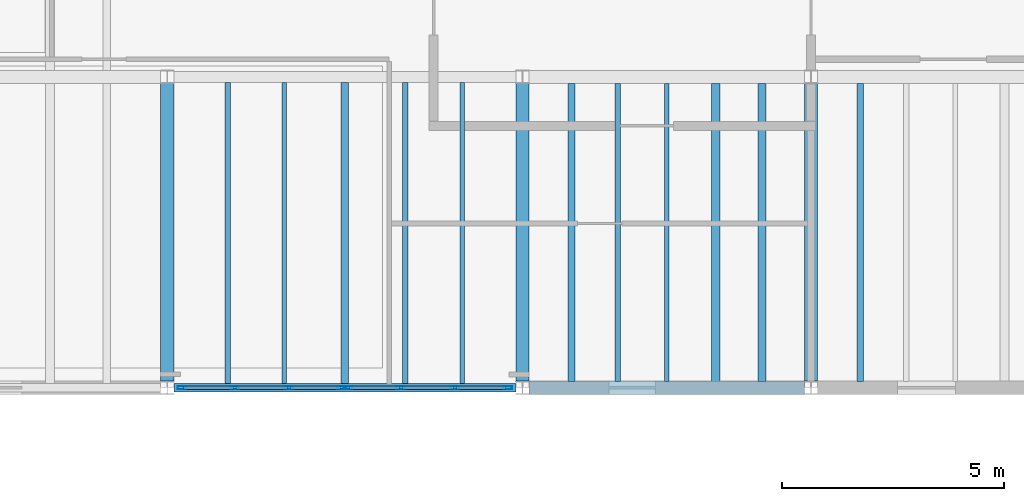
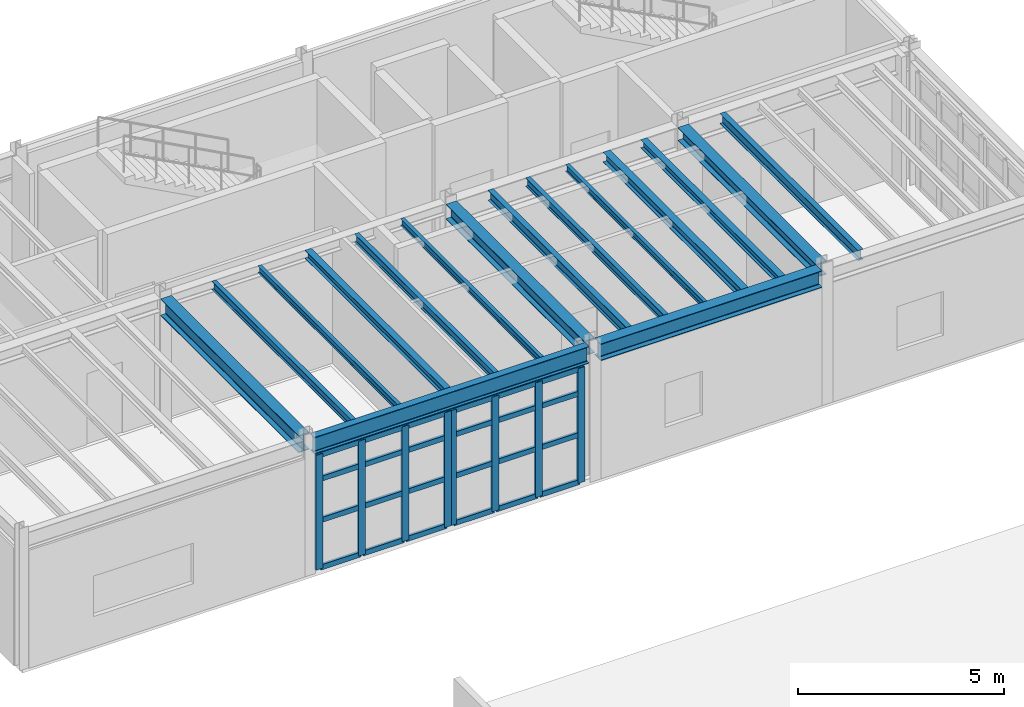
# One storey, part 2 of 11: 32 members, 16 beams, 2 elements without a shape of their own.
"""IFC4 building model written with IfcOpenShell, lengths in metres."""

from ifc_helpers import new_model, si_unit, direction, frame, origin, origin_2d, place, context, subcontext, project, spatial, hollow_rectangle, i_section, extrude, material, material_profile, profile_set, type_object, element, aggregate, save


model = new_model("IFC4")

# Units and contexts
model_context = context("Model", 3, precision=1e-05, world=origin(), true_north=direction((0.0, 1.0)))
body_context = subcontext(model_context, "Body", "Model", "MODEL_VIEW")
ifc_project = project(units=[si_unit("LENGTHUNIT", "METRE"), si_unit("AREAUNIT", "SQUARE_METRE"), si_unit("VOLUMEUNIT", "CUBIC_METRE"), si_unit("PLANEANGLEUNIT", "RADIAN"), si_unit("MASSUNIT", "GRAM", prefix="KILO"), si_unit("THERMODYNAMICTEMPERATUREUNIT", "KELVIN"), si_unit("POWERUNIT", "WATT")], contexts=[model_context])

# Site, building, storey
site_placement = place(None, origin())
site = spatial("IfcSite", under=ifc_project, at=site_placement, CompositionType="ELEMENT")
building_placement = place(site_placement, origin())
building = spatial("IfcBuilding", under=site, at=building_placement, Name="Zhenchuan Central Fire Station", CompositionType="ELEMENT")
storey_placement = place(building_placement, frame((0.0, 0.0, 18.449951171875)))
storey = spatial("IfcBuildingStorey", under=building, at=storey_placement, Name="L05", CompositionType="ELEMENT", Elevation=18.449951171875)

# Beams
ifc_material_1 = material(Name="Steel Q355B", Category="steel")
ifc_material_profile_1 = material_profile(ifc_material_1, i_section(OverallWidth=0.300048828125, OverallDepth=0.389892578125, WebThickness=0.010009765625, FlangeThickness=0.01611328125, FilletRadius=0.02001953125, at=origin_2d()), Name="HM 390x300")
ifc_profile_set_1 = profile_set([ifc_material_profile_1], Name="Steel Q355B")
beam_type_1 = type_object("IfcBeamType", Name="BM-HM390-INT", PredefinedType="BEAM", material=ifc_profile_set_1)
beam_1_placement = place(storey_placement, frame((154.5, 42.64990234375, 3.804931640625), z_axis=(0.0, 1.0, 0.0), x_axis=(-1.0, 0.0, 0.0)))
element("IfcBeam", 1, at=beam_1_placement, inside=storey, type_object=beam_type_1, Name="L06 Girder NS 0503", PredefinedType="BEAM", context=body_context, shape_type="SweptSolid", body=[
    extrude(i_section(OverallWidth=0.300048828125, OverallDepth=0.389892578125, WebThickness=0.010009765625, FlangeThickness=0.01611328125, FilletRadius=0.02001953125, at=origin_2d()), origin(), (0.0, 0.0, 1.0), 6.7001953125),
])
ifc_material_profile_2 = material_profile(ifc_material_1, i_section(OverallWidth=0.300048828125, OverallDepth=0.43994140625, WebThickness=0.010986328125, FlangeThickness=0.01806640625, FilletRadius=0.02197265625, at=origin_2d()), Name="HM 440x300")
ifc_profile_set_2 = profile_set([ifc_material_profile_2], Name="Steel Q355B")
beam_type_2 = type_object("IfcBeamType", Name="BM-HM440-INT", PredefinedType="BEAM", material=ifc_profile_set_2)
beam_2_placement = place(storey_placement, frame((148.0, 42.64990234375, 3.780029296875), z_axis=(0.0, 1.0, 0.0), x_axis=(-1.0, 0.0, 0.0)))
element("IfcBeam", 2, at=beam_2_placement, inside=storey, type_object=beam_type_2, Name="L06 Girder NS 0502", PredefinedType="BEAM", context=body_context, shape_type="SweptSolid", body=[
    extrude(i_section(OverallWidth=0.300048828125, OverallDepth=0.43994140625, WebThickness=0.010986328125, FlangeThickness=0.01806640625, FilletRadius=0.02197265625, at=origin_2d()), origin(), (0.0, 0.0, 1.0), 6.7001953125),
])
ifc_material_profile_3 = material_profile(ifc_material_1, i_section(OverallWidth=0.300048828125, OverallDepth=0.5, WebThickness=0.010986328125, FlangeThickness=0.01806640625, FilletRadius=0.02197265625, at=origin_2d()), Name="HM 500x300")
ifc_profile_set_3 = profile_set([ifc_material_profile_3], Name="Steel Q355B")
beam_type_3 = type_object("IfcBeamType", Name="BM-HM500-INT", PredefinedType="BEAM", material=ifc_profile_set_3)
beam_3_placement = place(storey_placement, frame((148.14990234375, 42.5, 3.75), z_axis=(1.0, 0.0, 0.0), x_axis=(0.0, 1.0, 0.0)))
element("IfcBeam", 3, at=beam_3_placement, inside=storey, type_object=beam_type_3, Name="L06 Girder EW 0490", PredefinedType="BEAM", context=body_context, shape_type="SweptSolid", body=[
    extrude(i_section(OverallWidth=0.300048828125, OverallDepth=0.5, WebThickness=0.010986328125, FlangeThickness=0.01806640625, FilletRadius=0.02197265625, at=origin_2d()), origin(), (0.0, 0.0, 1.0), 6.2001953125),
])
beam_4_placement = place(storey_placement, frame((140.0, 42.64990234375, 3.75), z_axis=(0.0, 1.0, 0.0), x_axis=(-1.0, 0.0, 0.0)))
element("IfcBeam", 4, at=beam_4_placement, inside=storey, type_object=beam_type_3, Name="L06 Girder NS 0501", PredefinedType="BEAM", context=body_context, shape_type="SweptSolid", body=[
    extrude(i_section(OverallWidth=0.300048828125, OverallDepth=0.5, WebThickness=0.010986328125, FlangeThickness=0.01806640625, FilletRadius=0.02197265625, at=origin_2d()), origin(), (0.0, 0.0, 1.0), 6.7001953125),
])

# Curtain wall, members
ifc_material_2 = material(Name="Anodised aluminium and low-E glazing", Category="aluminium")
curtain_wall_type_1 = type_object("IfcCurtainWallType", Name="CW-MOD-01", PredefinedType="USERDEFINED", material=ifc_material_2)
curtain_wall_1_placement = place(storey_placement, origin())
curtain_wall_1 = element("IfcCurtainWall", 5, at=curtain_wall_1_placement, inside=storey, type_object=curtain_wall_type_1, Name="L05 Unitised Curtain Wall 152", ObjectType="UNITISED GLAZING", PredefinedType="USERDEFINED")
ifc_material_3 = material(Name="Anodised aluminium EN AW-6063", Category="aluminium")
ifc_material_profile_4 = material_profile(ifc_material_3, hollow_rectangle(XDim=0.074951171875, YDim=0.199951171875, WallThickness=0.0048828125, at=origin_2d()), Name="ALU-M 200x75")
ifc_profile_set_4 = profile_set([ifc_material_profile_4], Name="Anodised aluminium EN AW-6063")
member_type_1 = type_object("IfcMemberType", Name="CW-MUL160", PredefinedType="MULLION", material=ifc_profile_set_4)
member_1_placement = place(storey_placement, frame((140.33251953125, 42.5, -0.00390625), z_axis=(0.0, 0.0, 1.0), x_axis=(0.0, 1.0, 0.0)))
member_1 = element("IfcMember", 6, at=member_1_placement, type_object=member_type_1, Name="CW-01 mullion 1", PredefinedType="MULLION", context=body_context, shape_type="SweptSolid", body=[
    extrude(hollow_rectangle(XDim=0.074951171875, YDim=0.199951171875, WallThickness=0.0048828125, at=origin_2d()), origin(), (0.0, 0.0, 1.0), 3.404052734375),
])
member_2_placement = place(storey_placement, frame((141.520751953125, 42.5, -0.00390625), z_axis=(0.0, 0.0, 1.0), x_axis=(0.0, 1.0, 0.0)))
member_2 = element("IfcMember", 7, at=member_2_placement, type_object=member_type_1, Name="CW-01 mullion 2", PredefinedType="MULLION", context=body_context, shape_type="SweptSolid", body=[
    extrude(hollow_rectangle(XDim=0.074951171875, YDim=0.199951171875, WallThickness=0.0048828125, at=origin_2d()), origin(), (0.0, 0.0, 1.0), 3.404052734375),
])
member_3_placement = place(storey_placement, frame((142.741455078125, 42.5, -0.00390625), z_axis=(0.0, 0.0, 1.0), x_axis=(0.0, 1.0, 0.0)))
member_3 = element("IfcMember", 8, at=member_3_placement, type_object=member_type_1, Name="CW-01 mullion 3", PredefinedType="MULLION", context=body_context, shape_type="SweptSolid", body=[
    extrude(hollow_rectangle(XDim=0.074951171875, YDim=0.199951171875, WallThickness=0.0048828125, at=origin_2d()), origin(), (0.0, 0.0, 1.0), 3.404052734375),
])
member_4_placement = place(storey_placement, frame((143.929443359375, 42.5, -0.00390625), z_axis=(0.0, 0.0, 1.0), x_axis=(0.0, 1.0, 0.0)))
member_4 = element("IfcMember", 9, at=member_4_placement, type_object=member_type_1, Name="CW-01 mullion 4", PredefinedType="MULLION", context=body_context, shape_type="SweptSolid", body=[
    extrude(hollow_rectangle(XDim=0.074951171875, YDim=0.199951171875, WallThickness=0.0048828125, at=origin_2d()), origin(), (0.0, 0.0, 1.0), 3.404052734375),
])

curtain_wall_type_2 = type_object("IfcCurtainWallType", Name="CW-MOD-02", PredefinedType="USERDEFINED", material=ifc_material_2)
curtain_wall_2_placement = place(storey_placement, origin())
curtain_wall_2 = element("IfcCurtainWall", 10, at=curtain_wall_2_placement, inside=storey, type_object=curtain_wall_type_2, Name="L05 Unitised Curtain Wall 153", ObjectType="UNITISED GLAZING", PredefinedType="USERDEFINED")
member_5_placement = place(storey_placement, frame((144.070556640625, 42.5, -0.00390625), z_axis=(0.0, 0.0, 1.0), x_axis=(0.0, 1.0, 0.0)))
member_5 = element("IfcMember", 11, at=member_5_placement, type_object=member_type_1, Name="CW-02 mullion 1", PredefinedType="MULLION", context=body_context, shape_type="SweptSolid", body=[
    extrude(hollow_rectangle(XDim=0.074951171875, YDim=0.199951171875, WallThickness=0.0048828125, at=origin_2d()), origin(), (0.0, 0.0, 1.0), 3.404052734375),
])
member_6_placement = place(storey_placement, frame((145.258544921875, 42.5, -0.00390625), z_axis=(0.0, 0.0, 1.0), x_axis=(0.0, 1.0, 0.0)))
member_6 = element("IfcMember", 12, at=member_6_placement, type_object=member_type_1, Name="CW-02 mullion 2", PredefinedType="MULLION", context=body_context, shape_type="SweptSolid", body=[
    extrude(hollow_rectangle(XDim=0.074951171875, YDim=0.199951171875, WallThickness=0.0048828125, at=origin_2d()), origin(), (0.0, 0.0, 1.0), 3.404052734375),
])
member_7_placement = place(storey_placement, frame((146.479248046875, 42.5, -0.00390625), z_axis=(0.0, 0.0, 1.0), x_axis=(0.0, 1.0, 0.0)))
member_7 = element("IfcMember", 13, at=member_7_placement, type_object=member_type_1, Name="CW-02 mullion 3", PredefinedType="MULLION", context=body_context, shape_type="SweptSolid", body=[
    extrude(hollow_rectangle(XDim=0.074951171875, YDim=0.199951171875, WallThickness=0.0048828125, at=origin_2d()), origin(), (0.0, 0.0, 1.0), 3.404052734375),
])
member_8_placement = place(storey_placement, frame((147.66748046875, 42.5, -0.00390625), z_axis=(0.0, 0.0, 1.0), x_axis=(0.0, 1.0, 0.0)))
member_8 = element("IfcMember", 14, at=member_8_placement, type_object=member_type_1, Name="CW-02 mullion 4", PredefinedType="MULLION", context=body_context, shape_type="SweptSolid", body=[
    extrude(hollow_rectangle(XDim=0.074951171875, YDim=0.199951171875, WallThickness=0.0048828125, at=origin_2d()), origin(), (0.0, 0.0, 1.0), 3.404052734375),
])

# Member
ifc_material_profile_5 = material_profile(ifc_material_3, hollow_rectangle(XDim=0.074951171875, YDim=0.14990234375, WallThickness=0.0048828125, at=origin_2d()), Name="ALU-T 150x75")
ifc_profile_set_5 = profile_set([ifc_material_profile_5], Name="Anodised aluminium EN AW-6063")
member_type_2 = type_object("IfcMemberType", Name="CW-TRN130", PredefinedType="NOTDEFINED", material=ifc_profile_set_5)
member_9_placement = place(storey_placement, frame((140.364990234375, 42.5, 0.028564453125), z_axis=(1.0, 0.0, 0.0), x_axis=(0.0, 1.0, 0.0)))
member_9 = element("IfcMember", 15, at=member_9_placement, type_object=member_type_2, Name="CW-01 transom 1.1", ObjectType="TRANSOM", PredefinedType="USERDEFINED", context=body_context, shape_type="SweptSolid", body=[
    extrude(hollow_rectangle(XDim=0.074951171875, YDim=0.14990234375, WallThickness=0.0048828125, at=origin_2d()), origin(), (0.0, 0.0, 1.0), 1.123291015625),
])

member_10_placement = place(storey_placement, frame((140.364990234375, 42.5, 1.427978515625), z_axis=(1.0, 0.0, 0.0), x_axis=(0.0, 1.0, 0.0)))
member_10 = element("IfcMember", 16, at=member_10_placement, type_object=member_type_2, Name="CW-01 transom 1.2", ObjectType="TRANSOM", PredefinedType="USERDEFINED", context=body_context, shape_type="SweptSolid", body=[
    extrude(hollow_rectangle(XDim=0.074951171875, YDim=0.14990234375, WallThickness=0.0048828125, at=origin_2d()), origin(), (0.0, 0.0, 1.0), 1.123291015625),
])

member_11_placement = place(storey_placement, frame((140.364990234375, 42.5, 2.652099609375), z_axis=(1.0, 0.0, 0.0), x_axis=(0.0, 1.0, 0.0)))
member_11 = element("IfcMember", 17, at=member_11_placement, type_object=member_type_2, Name="CW-01 transom 1.3", ObjectType="TRANSOM", PredefinedType="USERDEFINED", context=body_context, shape_type="SweptSolid", body=[
    extrude(hollow_rectangle(XDim=0.074951171875, YDim=0.14990234375, WallThickness=0.0048828125, at=origin_2d()), origin(), (0.0, 0.0, 1.0), 1.123291015625),
])

member_12_placement = place(storey_placement, frame((140.364990234375, 42.5, 3.367431640625), z_axis=(1.0, 0.0, 0.0), x_axis=(0.0, 1.0, 0.0)))
member_12 = element("IfcMember", 18, at=member_12_placement, type_object=member_type_2, Name="CW-01 transom 1.4", ObjectType="TRANSOM", PredefinedType="USERDEFINED", context=body_context, shape_type="SweptSolid", body=[
    extrude(hollow_rectangle(XDim=0.074951171875, YDim=0.14990234375, WallThickness=0.0048828125, at=origin_2d()), origin(), (0.0, 0.0, 1.0), 1.123291015625),
])

member_13_placement = place(storey_placement, frame((141.55322265625, 42.5, 0.028564453125), z_axis=(1.0, 0.0, 0.0), x_axis=(0.0, 1.0, 0.0)))
member_13 = element("IfcMember", 19, at=member_13_placement, type_object=member_type_2, Name="CW-01 transom 2.1", ObjectType="TRANSOM", PredefinedType="USERDEFINED", context=body_context, shape_type="SweptSolid", body=[
    extrude(hollow_rectangle(XDim=0.074951171875, YDim=0.14990234375, WallThickness=0.0048828125, at=origin_2d()), origin(), (0.0, 0.0, 1.0), 1.155517578125),
])

member_14_placement = place(storey_placement, frame((141.55322265625, 42.5, 1.427978515625), z_axis=(1.0, 0.0, 0.0), x_axis=(0.0, 1.0, 0.0)))
member_14 = element("IfcMember", 20, at=member_14_placement, type_object=member_type_2, Name="CW-01 transom 2.2", ObjectType="TRANSOM", PredefinedType="USERDEFINED", context=body_context, shape_type="SweptSolid", body=[
    extrude(hollow_rectangle(XDim=0.074951171875, YDim=0.14990234375, WallThickness=0.0048828125, at=origin_2d()), origin(), (0.0, 0.0, 1.0), 1.155517578125),
])

member_15_placement = place(storey_placement, frame((141.55322265625, 42.5, 2.652099609375), z_axis=(1.0, 0.0, 0.0), x_axis=(0.0, 1.0, 0.0)))
member_15 = element("IfcMember", 21, at=member_15_placement, type_object=member_type_2, Name="CW-01 transom 2.3", ObjectType="TRANSOM", PredefinedType="USERDEFINED", context=body_context, shape_type="SweptSolid", body=[
    extrude(hollow_rectangle(XDim=0.074951171875, YDim=0.14990234375, WallThickness=0.0048828125, at=origin_2d()), origin(), (0.0, 0.0, 1.0), 1.155517578125),
])

member_16_placement = place(storey_placement, frame((141.55322265625, 42.5, 3.367431640625), z_axis=(1.0, 0.0, 0.0), x_axis=(0.0, 1.0, 0.0)))
member_16 = element("IfcMember", 22, at=member_16_placement, type_object=member_type_2, Name="CW-01 transom 2.4", ObjectType="TRANSOM", PredefinedType="USERDEFINED", context=body_context, shape_type="SweptSolid", body=[
    extrude(hollow_rectangle(XDim=0.074951171875, YDim=0.14990234375, WallThickness=0.0048828125, at=origin_2d()), origin(), (0.0, 0.0, 1.0), 1.155517578125),
])

member_17_placement = place(storey_placement, frame((142.77392578125, 42.5, 0.028564453125), z_axis=(1.0, 0.0, 0.0), x_axis=(0.0, 1.0, 0.0)))
member_17 = element("IfcMember", 23, at=member_17_placement, type_object=member_type_2, Name="CW-01 transom 3.1", ObjectType="TRANSOM", PredefinedType="USERDEFINED", context=body_context, shape_type="SweptSolid", body=[
    extrude(hollow_rectangle(XDim=0.074951171875, YDim=0.14990234375, WallThickness=0.0048828125, at=origin_2d()), origin(), (0.0, 0.0, 1.0), 1.123046875),
])

member_18_placement = place(storey_placement, frame((142.77392578125, 42.5, 1.427978515625), z_axis=(1.0, 0.0, 0.0), x_axis=(0.0, 1.0, 0.0)))
member_18 = element("IfcMember", 24, at=member_18_placement, type_object=member_type_2, Name="CW-01 transom 3.2", ObjectType="TRANSOM", PredefinedType="USERDEFINED", context=body_context, shape_type="SweptSolid", body=[
    extrude(hollow_rectangle(XDim=0.074951171875, YDim=0.14990234375, WallThickness=0.0048828125, at=origin_2d()), origin(), (0.0, 0.0, 1.0), 1.123046875),
])

member_19_placement = place(storey_placement, frame((142.77392578125, 42.5, 2.652099609375), z_axis=(1.0, 0.0, 0.0), x_axis=(0.0, 1.0, 0.0)))
member_19 = element("IfcMember", 25, at=member_19_placement, type_object=member_type_2, Name="CW-01 transom 3.3", ObjectType="TRANSOM", PredefinedType="USERDEFINED", context=body_context, shape_type="SweptSolid", body=[
    extrude(hollow_rectangle(XDim=0.074951171875, YDim=0.14990234375, WallThickness=0.0048828125, at=origin_2d()), origin(), (0.0, 0.0, 1.0), 1.123046875),
])

member_20_placement = place(storey_placement, frame((142.77392578125, 42.5, 3.367431640625), z_axis=(1.0, 0.0, 0.0), x_axis=(0.0, 1.0, 0.0)))
member_20 = element("IfcMember", 26, at=member_20_placement, type_object=member_type_2, Name="CW-01 transom 3.4", ObjectType="TRANSOM", PredefinedType="USERDEFINED", context=body_context, shape_type="SweptSolid", body=[
    extrude(hollow_rectangle(XDim=0.074951171875, YDim=0.14990234375, WallThickness=0.0048828125, at=origin_2d()), origin(), (0.0, 0.0, 1.0), 1.123046875),
])

aggregate(curtain_wall_1, [member_1, member_2, member_3, member_4, member_9, member_10, member_11, member_12, member_13, member_14, member_15, member_16, member_17, member_18, member_19, member_20])

member_21_placement = place(storey_placement, frame((144.10302734375, 42.5, 0.028564453125), z_axis=(1.0, 0.0, 0.0), x_axis=(0.0, 1.0, 0.0)))
member_21 = element("IfcMember", 27, at=member_21_placement, type_object=member_type_2, Name="CW-02 transom 1.1", ObjectType="TRANSOM", PredefinedType="USERDEFINED", context=body_context, shape_type="SweptSolid", body=[
    extrude(hollow_rectangle(XDim=0.074951171875, YDim=0.14990234375, WallThickness=0.0048828125, at=origin_2d()), origin(), (0.0, 0.0, 1.0), 1.123046875),
])

member_22_placement = place(storey_placement, frame((144.10302734375, 42.5, 1.427978515625), z_axis=(1.0, 0.0, 0.0), x_axis=(0.0, 1.0, 0.0)))
member_22 = element("IfcMember", 28, at=member_22_placement, type_object=member_type_2, Name="CW-02 transom 1.2", ObjectType="TRANSOM", PredefinedType="USERDEFINED", context=body_context, shape_type="SweptSolid", body=[
    extrude(hollow_rectangle(XDim=0.074951171875, YDim=0.14990234375, WallThickness=0.0048828125, at=origin_2d()), origin(), (0.0, 0.0, 1.0), 1.123046875),
])

member_23_placement = place(storey_placement, frame((144.10302734375, 42.5, 2.652099609375), z_axis=(1.0, 0.0, 0.0), x_axis=(0.0, 1.0, 0.0)))
member_23 = element("IfcMember", 29, at=member_23_placement, type_object=member_type_2, Name="CW-02 transom 1.3", ObjectType="TRANSOM", PredefinedType="USERDEFINED", context=body_context, shape_type="SweptSolid", body=[
    extrude(hollow_rectangle(XDim=0.074951171875, YDim=0.14990234375, WallThickness=0.0048828125, at=origin_2d()), origin(), (0.0, 0.0, 1.0), 1.123046875),
])

member_24_placement = place(storey_placement, frame((144.10302734375, 42.5, 3.367431640625), z_axis=(1.0, 0.0, 0.0), x_axis=(0.0, 1.0, 0.0)))
member_24 = element("IfcMember", 30, at=member_24_placement, type_object=member_type_2, Name="CW-02 transom 1.4", ObjectType="TRANSOM", PredefinedType="USERDEFINED", context=body_context, shape_type="SweptSolid", body=[
    extrude(hollow_rectangle(XDim=0.074951171875, YDim=0.14990234375, WallThickness=0.0048828125, at=origin_2d()), origin(), (0.0, 0.0, 1.0), 1.123046875),
])

member_25_placement = place(storey_placement, frame((145.291259765625, 42.5, 0.028564453125), z_axis=(1.0, 0.0, 0.0), x_axis=(0.0, 1.0, 0.0)))
member_25 = element("IfcMember", 31, at=member_25_placement, type_object=member_type_2, Name="CW-02 transom 2.1", ObjectType="TRANSOM", PredefinedType="USERDEFINED", context=body_context, shape_type="SweptSolid", body=[
    extrude(hollow_rectangle(XDim=0.074951171875, YDim=0.14990234375, WallThickness=0.0048828125, at=origin_2d()), origin(), (0.0, 0.0, 1.0), 1.155517578125),
])

member_26_placement = place(storey_placement, frame((145.291259765625, 42.5, 1.427978515625), z_axis=(1.0, 0.0, 0.0), x_axis=(0.0, 1.0, 0.0)))
member_26 = element("IfcMember", 32, at=member_26_placement, type_object=member_type_2, Name="CW-02 transom 2.2", ObjectType="TRANSOM", PredefinedType="USERDEFINED", context=body_context, shape_type="SweptSolid", body=[
    extrude(hollow_rectangle(XDim=0.074951171875, YDim=0.14990234375, WallThickness=0.0048828125, at=origin_2d()), origin(), (0.0, 0.0, 1.0), 1.155517578125),
])

member_27_placement = place(storey_placement, frame((145.291259765625, 42.5, 2.652099609375), z_axis=(1.0, 0.0, 0.0), x_axis=(0.0, 1.0, 0.0)))
member_27 = element("IfcMember", 33, at=member_27_placement, type_object=member_type_2, Name="CW-02 transom 2.3", ObjectType="TRANSOM", PredefinedType="USERDEFINED", context=body_context, shape_type="SweptSolid", body=[
    extrude(hollow_rectangle(XDim=0.074951171875, YDim=0.14990234375, WallThickness=0.0048828125, at=origin_2d()), origin(), (0.0, 0.0, 1.0), 1.155517578125),
])

member_28_placement = place(storey_placement, frame((145.291259765625, 42.5, 3.367431640625), z_axis=(1.0, 0.0, 0.0), x_axis=(0.0, 1.0, 0.0)))
member_28 = element("IfcMember", 34, at=member_28_placement, type_object=member_type_2, Name="CW-02 transom 2.4", ObjectType="TRANSOM", PredefinedType="USERDEFINED", context=body_context, shape_type="SweptSolid", body=[
    extrude(hollow_rectangle(XDim=0.074951171875, YDim=0.14990234375, WallThickness=0.0048828125, at=origin_2d()), origin(), (0.0, 0.0, 1.0), 1.155517578125),
])

member_29_placement = place(storey_placement, frame((146.51171875, 42.5, 0.028564453125), z_axis=(1.0, 0.0, 0.0), x_axis=(0.0, 1.0, 0.0)))
member_29 = element("IfcMember", 35, at=member_29_placement, type_object=member_type_2, Name="CW-02 transom 3.1", ObjectType="TRANSOM", PredefinedType="USERDEFINED", context=body_context, shape_type="SweptSolid", body=[
    extrude(hollow_rectangle(XDim=0.074951171875, YDim=0.14990234375, WallThickness=0.0048828125, at=origin_2d()), origin(), (0.0, 0.0, 1.0), 1.123291015625),
])

member_30_placement = place(storey_placement, frame((146.51171875, 42.5, 1.427978515625), z_axis=(1.0, 0.0, 0.0), x_axis=(0.0, 1.0, 0.0)))
member_30 = element("IfcMember", 36, at=member_30_placement, type_object=member_type_2, Name="CW-02 transom 3.2", ObjectType="TRANSOM", PredefinedType="USERDEFINED", context=body_context, shape_type="SweptSolid", body=[
    extrude(hollow_rectangle(XDim=0.074951171875, YDim=0.14990234375, WallThickness=0.0048828125, at=origin_2d()), origin(), (0.0, 0.0, 1.0), 1.123291015625),
])

member_31_placement = place(storey_placement, frame((146.51171875, 42.5, 2.652099609375), z_axis=(1.0, 0.0, 0.0), x_axis=(0.0, 1.0, 0.0)))
member_31 = element("IfcMember", 37, at=member_31_placement, type_object=member_type_2, Name="CW-02 transom 3.3", ObjectType="TRANSOM", PredefinedType="USERDEFINED", context=body_context, shape_type="SweptSolid", body=[
    extrude(hollow_rectangle(XDim=0.074951171875, YDim=0.14990234375, WallThickness=0.0048828125, at=origin_2d()), origin(), (0.0, 0.0, 1.0), 1.123291015625),
])

member_32_placement = place(storey_placement, frame((146.51171875, 42.5, 3.367431640625), z_axis=(1.0, 0.0, 0.0), x_axis=(0.0, 1.0, 0.0)))
member_32 = element("IfcMember", 38, at=member_32_placement, type_object=member_type_2, Name="CW-02 transom 3.4", ObjectType="TRANSOM", PredefinedType="USERDEFINED", context=body_context, shape_type="SweptSolid", body=[
    extrude(hollow_rectangle(XDim=0.074951171875, YDim=0.14990234375, WallThickness=0.0048828125, at=origin_2d()), origin(), (0.0, 0.0, 1.0), 1.123291015625),
])

aggregate(curtain_wall_2, [member_5, member_6, member_7, member_8, member_21, member_22, member_23, member_24, member_25, member_26, member_27, member_28, member_29, member_30, member_31, member_32])

# Beams
ifc_material_profile_6 = material_profile(ifc_material_1, i_section(OverallWidth=0.175048828125, OverallDepth=0.243896484375, WebThickness=0.007080078125, FlangeThickness=0.010986328125, FilletRadius=0.012939453125, at=origin_2d()), Name="HM 244x175")
ifc_profile_set_6 = profile_set([ifc_material_profile_6], Name="Steel Q355B")
beam_type_4 = type_object("IfcBeamType", Name="JS-HM244", PredefinedType="JOIST", material=ifc_profile_set_6)
beam_5_placement = place(storey_placement, frame((144.0, 42.596923828125, 3.8779296875), z_axis=(0.0, 1.0, 0.0), x_axis=(-1.0, 0.0, 0.0)))
element("IfcBeam", 39, at=beam_5_placement, inside=storey, type_object=beam_type_4, Name="L06 Secondary Joist 0798", PredefinedType="JOIST", context=body_context, shape_type="SweptSolid", body=[
    extrude(i_section(OverallWidth=0.175048828125, OverallDepth=0.243896484375, WebThickness=0.007080078125, FlangeThickness=0.010986328125, FilletRadius=0.012939453125, at=origin_2d()), origin(), (0.0, 0.0, 1.0), 6.781005859375),
])
beam_6_placement = place(storey_placement, frame((153.39501953125, 42.64697265625, 3.8779296875), z_axis=(0.0, 1.0, 0.0), x_axis=(-1.0, 0.0, 0.0)))
element("IfcBeam", 40, at=beam_6_placement, inside=storey, type_object=beam_type_4, Name="L06 Secondary Joist 0805", PredefinedType="JOIST", context=body_context, shape_type="SweptSolid", body=[
    extrude(i_section(OverallWidth=0.175048828125, OverallDepth=0.243896484375, WebThickness=0.007080078125, FlangeThickness=0.010986328125, FilletRadius=0.012939453125, at=origin_2d()), origin(), (0.0, 0.0, 1.0), 6.7060546875),
])
ifc_material_profile_7 = material_profile(ifc_material_1, i_section(OverallWidth=0.199951171875, OverallDepth=0.2939453125, WebThickness=0.008056640625, FlangeThickness=0.011962890625, FilletRadius=0.01611328125, at=origin_2d()), Name="HM 294x200")
ifc_profile_set_7 = profile_set([ifc_material_profile_7], Name="Steel Q355B")
beam_type_5 = type_object("IfcBeamType", Name="JS-HM294", PredefinedType="JOIST", material=ifc_profile_set_7)
beam_7_placement = place(storey_placement, frame((152.35498046875, 42.64697265625, 3.85302734375), z_axis=(0.0, 1.0, 0.0), x_axis=(-1.0, 0.0, 0.0)))
element("IfcBeam", 41, at=beam_7_placement, inside=storey, type_object=beam_type_5, Name="L06 Secondary Joist 0804", PredefinedType="JOIST", context=body_context, shape_type="SweptSolid", body=[
    extrude(i_section(OverallWidth=0.199951171875, OverallDepth=0.2939453125, WebThickness=0.008056640625, FlangeThickness=0.011962890625, FilletRadius=0.01611328125, at=origin_2d()), origin(), (0.0, 0.0, 1.0), 6.7060546875),
])
ifc_material_profile_8 = material_profile(ifc_material_1, i_section(OverallWidth=0.10009765625, OverallDepth=0.199951171875, WebThickness=0.005615234375, FlangeThickness=0.008056640625, FilletRadius=0.010986328125, at=origin_2d()), Name="HN 200x100")
ifc_profile_set_8 = profile_set([ifc_material_profile_8], Name="Steel Q355B")
beam_type_6 = type_object("IfcBeamType", Name="JS-HN200", PredefinedType="JOIST", material=ifc_profile_set_8)
for number, where, z_axis, x_axis, name in (
    (42, (142.639892578125, 42.596923828125, 3.900146484375), (0.0, 1.0, 0.0), (-1.0, 0.0, 0.0), "L06 Secondary Joist 0797"),
    (43, (146.639892578125, 42.596923828125, 3.900146484375), (0.0, 1.0, 0.0), (-1.0, 0.0, 0.0), "L06 Secondary Joist 0800"),
):
    element("IfcBeam", number, at=place(storey_placement, frame(where, z_axis=z_axis, x_axis=x_axis)), inside=storey, type_object=beam_type_6, Name=name, PredefinedType="JOIST", context=body_context, shape_type="SweptSolid", body=[
        extrude(i_section(OverallWidth=0.10009765625, OverallDepth=0.199951171875, WebThickness=0.005615234375, FlangeThickness=0.008056640625, FilletRadius=0.010986328125, at=origin_2d()), origin(), (0.0, 0.0, 1.0), 6.781005859375),
    ])
beam_8_placement = place(storey_placement, frame((151.25, 42.64697265625, 3.900146484375), z_axis=(0.0, 1.0, 0.0), x_axis=(-1.0, 0.0, 0.0)))
element("IfcBeam", 44, at=beam_8_placement, inside=storey, type_object=beam_type_6, Name="L06 Secondary Joist 0803", PredefinedType="JOIST", context=body_context, shape_type="SweptSolid", body=[
    extrude(i_section(OverallWidth=0.10009765625, OverallDepth=0.199951171875, WebThickness=0.005615234375, FlangeThickness=0.008056640625, FilletRadius=0.010986328125, at=origin_2d()), origin(), (0.0, 0.0, 1.0), 6.7060546875),
])
ifc_material_profile_9 = material_profile(ifc_material_1, i_section(OverallWidth=0.125, OverallDepth=0.25, WebThickness=0.006103515625, FlangeThickness=0.009033203125, FilletRadius=0.011962890625, at=origin_2d()), Name="HN 250x125")
ifc_profile_set_9 = profile_set([ifc_material_profile_9], Name="Steel Q355B")
beam_type_7 = type_object("IfcBeamType", Name="JS-HN250", PredefinedType="JOIST", material=ifc_profile_set_9)
for number, where, z_axis, x_axis, name in (
    (45, (141.360107421875, 42.596923828125, 3.875), (0.0, 1.0, 0.0), (-1.0, 0.0, 0.0), "L06 Secondary Joist 0796"),
    (46, (145.360107421875, 42.596923828125, 3.875), (0.0, 1.0, 0.0), (-1.0, 0.0, 0.0), "L06 Secondary Joist 0799"),
):
    element("IfcBeam", number, at=place(storey_placement, frame(where, z_axis=z_axis, x_axis=x_axis)), inside=storey, type_object=beam_type_7, Name=name, PredefinedType="JOIST", context=body_context, shape_type="SweptSolid", body=[
        extrude(i_section(OverallWidth=0.125, OverallDepth=0.25, WebThickness=0.006103515625, FlangeThickness=0.009033203125, FilletRadius=0.011962890625, at=origin_2d()), origin(), (0.0, 0.0, 1.0), 6.781005859375),
    ])
beam_9_placement = place(storey_placement, frame((150.14501953125, 42.64697265625, 3.875), z_axis=(0.0, 1.0, 0.0), x_axis=(-1.0, 0.0, 0.0)))
element("IfcBeam", 47, at=beam_9_placement, inside=storey, type_object=beam_type_7, Name="L06 Secondary Joist 0802", PredefinedType="JOIST", context=body_context, shape_type="SweptSolid", body=[
    extrude(i_section(OverallWidth=0.125, OverallDepth=0.25, WebThickness=0.006103515625, FlangeThickness=0.009033203125, FilletRadius=0.011962890625, at=origin_2d()), origin(), (0.0, 0.0, 1.0), 6.7060546875),
])
ifc_material_profile_10 = material_profile(ifc_material_1, i_section(OverallWidth=0.14990234375, OverallDepth=0.300048828125, WebThickness=0.006591796875, FlangeThickness=0.009033203125, FilletRadius=0.012939453125, at=origin_2d()), Name="HN 300x150")
ifc_profile_set_10 = profile_set([ifc_material_profile_10], Name="Steel Q355B")
beam_type_8 = type_object("IfcBeamType", Name="JS-HN300", PredefinedType="JOIST", material=ifc_profile_set_10)
for number, where, z_axis, x_axis, name in (
    (48, (149.10498046875, 42.64697265625, 3.85009765625), (0.0, 1.0, 0.0), (-1.0, 0.0, 0.0), "L06 Secondary Joist 0801"),
    (49, (155.60498046875, 42.64697265625, 3.85009765625), (0.0, 1.0, 0.0), (-1.0, 0.0, 0.0), "L06 Secondary Joist 0806"),
):
    element("IfcBeam", number, at=place(storey_placement, frame(where, z_axis=z_axis, x_axis=x_axis)), inside=storey, type_object=beam_type_8, Name=name, PredefinedType="JOIST", context=body_context, shape_type="SweptSolid", body=[
        extrude(i_section(OverallWidth=0.14990234375, OverallDepth=0.300048828125, WebThickness=0.006591796875, FlangeThickness=0.009033203125, FilletRadius=0.012939453125, at=origin_2d()), origin(), (0.0, 0.0, 1.0), 6.7060546875),
    ])
ifc_material_profile_11 = material_profile(ifc_material_1, i_section(OverallWidth=0.199951171875, OverallDepth=0.5, WebThickness=0.010009765625, FlangeThickness=0.01611328125, FilletRadius=0.02001953125, at=origin_2d()), Name="HN 500x200")
ifc_profile_set_11 = profile_set([ifc_material_profile_11], Name="Steel Q355B")
beam_type_9 = type_object("IfcBeamType", Name="SP-HN500-INT", PredefinedType="SPANDREL", material=ifc_profile_set_11)
beam_10_placement = place(storey_placement, frame((140.14990234375, 42.5, 3.75), z_axis=(1.0, 0.0, 0.0), x_axis=(0.0, 1.0, 0.0)))
element("IfcBeam", 50, at=beam_10_placement, inside=storey, type_object=beam_type_9, Name="L06 Girder EW 0489", PredefinedType="SPANDREL", context=body_context, shape_type="SweptSolid", body=[
    extrude(i_section(OverallWidth=0.199951171875, OverallDepth=0.5, WebThickness=0.010009765625, FlangeThickness=0.01611328125, FilletRadius=0.02001953125, at=origin_2d()), origin(), (0.0, 0.0, 1.0), 7.7001953125),
])

save(model, "model.ifc")
